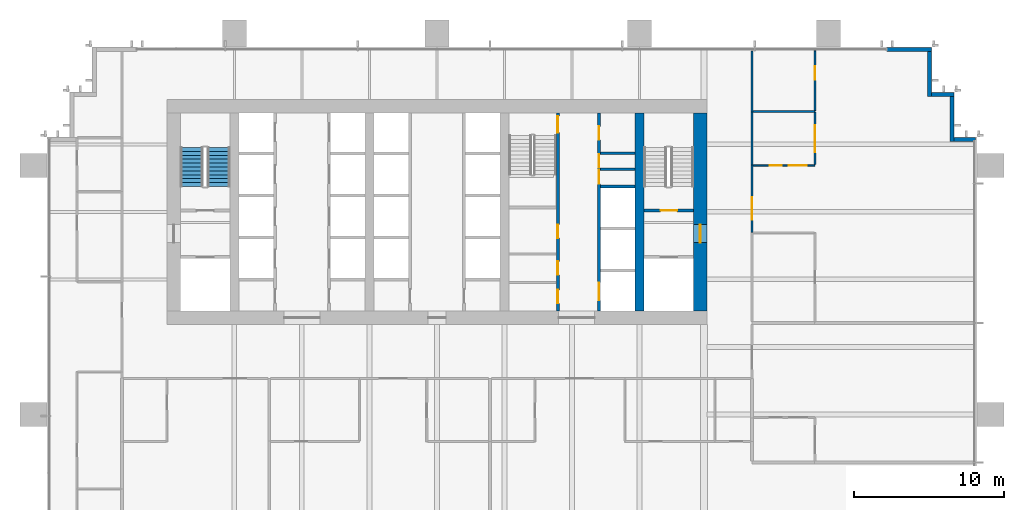
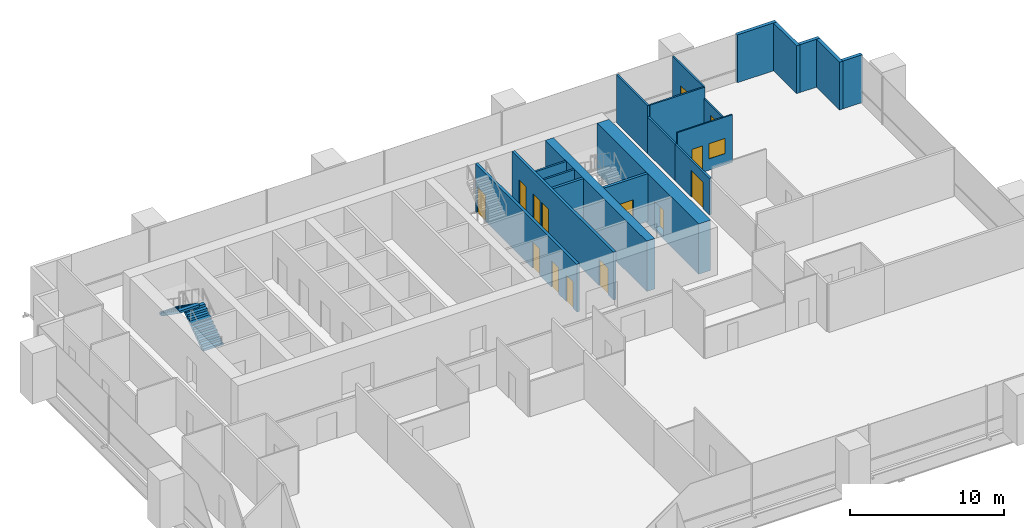
# One storey, part 15 of 17: 20 walls, 13 doors, 2 stair flights, 2 windows, 15 openings, 1 element without a shape of its own.
"""IFC4 building model written with IfcOpenShell, lengths in metres."""

from ifc_helpers import new_model, si_unit, direction, frame, frame_2d, origin, place, context, subcontext, project, spatial, polyline, rectangle, outline, extrude, material, layer, layer_set, type_object, element, fill, aggregate, save


model = new_model("IFC4")

# Units and contexts
model_context = context("Model", 3, precision=1e-05, world=origin(), true_north=direction((0.0, 1.0)))
body_context = subcontext(model_context, "Body", "Model", "MODEL_VIEW")
ifc_project = project(units=[si_unit("LENGTHUNIT", "METRE"), si_unit("AREAUNIT", "SQUARE_METRE"), si_unit("VOLUMEUNIT", "CUBIC_METRE"), si_unit("PLANEANGLEUNIT", "RADIAN"), si_unit("MASSUNIT", "GRAM", prefix="KILO")], contexts=[model_context])

# Site, building, storey
site_placement = place(None, origin())
site = spatial("IfcSite", under=ifc_project, at=site_placement, CompositionType="ELEMENT")
building_placement = place(site_placement, origin())
building = spatial("IfcBuilding", under=site, at=building_placement, Name="Rattan Terrace Tower", CompositionType="ELEMENT")
storey_placement = place(building_placement, frame((0.0, 0.0, 83.699951171875)))
storey = spatial("IfcBuildingStorey", under=building, at=storey_placement, Name="L18", CompositionType="ELEMENT", Elevation=83.699951171875)

# Walls
ifc_material_1 = material(Name="Gypsum board partition")
ifc_layer_1 = layer(ifc_material_1, 0.14990234375)
ifc_layer_set_1 = layer_set([ifc_layer_1], Name="Core partition 150")
wall_type_1 = type_object("IfcWallType", Name="Core partition 150", PredefinedType="PARTITIONING", material=ifc_layer_set_1)
for number, where, z_axis, x_axis, name in (
    (1, (10.89990234375, 2.85595703125, 0.0), (0.0, 0.0, 1.0), (1.0, 0.0, 0.0), "Riser room wall"),
    (2, (10.89990234375, 3.912109375, 0.0), (0.0, 0.0, 1.0), (1.0, 0.0, 0.0), "Riser room wall"),
):
    element("IfcWall", number, at=place(storey_placement, frame(where, z_axis=z_axis, x_axis=x_axis)), inside=storey, type_object=wall_type_1, Name=name, PredefinedType="PARTITIONING", context=body_context, shape_type="SweptSolid", body=[
        extrude(rectangle(XDim=2.300048828125, YDim=0.14990234375, at=frame_2d((1.14990234375, 0.0))), origin(), (0.0, 0.0, 1.0), 3.800048828125),
    ])

# Wall, opening, door
ifc_material_2 = material(Name="Gypsum board partition")
ifc_layer_2 = layer(ifc_material_2, 0.199951171875)
ifc_layer_set_2 = layer_set([ifc_layer_2], Name="Core partition 200")
wall_type_2 = type_object("IfcWallType", Name="Core partition 200", PredefinedType="PARTITIONING", material=ifc_layer_set_2)
wall_1_placement = place(storey_placement, frame((13.800048828125, 0.10009765625, 0.0), z_axis=(0.0, 0.0, 1.0), x_axis=(1.0, 0.0, 0.0)))
wall_1 = element("IfcWall", 3, at=wall_1_placement, inside=storey, type_object=wall_type_2, Name="Stair enclosure wall", PredefinedType="PARTITIONING", context=body_context, shape_type="SweptSolid", body=[
    extrude(rectangle(XDim=3.300048828125, YDim=0.199951171875, at=frame_2d((1.64990234375, 0.0))), origin(), (0.0, 0.0, 1.0), 3.800048828125),
])
opening_1_placement = place(wall_1_placement, frame((1.10009765625, 0.0, 0.0)))
opening_1 = element("IfcOpeningElement", 4, at=opening_1_placement, cuts=wall_1, Name="Opening L18-D004", PredefinedType="OPENING", context=body_context, shape_type="SweptSolid", body=[
    extrude(rectangle(XDim=1.10009765625, YDim=2.10009765625, at=frame_2d((0.550048828125, 1.050048828125))), frame((0.0, 0.110595703125, 0.0), z_axis=(0.0, -1.0, 0.0), x_axis=(1.0, 0.0, 0.0)), (0.0, 0.0, 1.0), 0.220947265625),
])
ifc_material_3 = material(Name="Hollow-metal fire door leaf")
door_type_1 = type_object("IfcDoorType", Name="Core stair door 1100", OperationType="NOTDEFINED", PredefinedType="DOOR", material=ifc_material_3)
door_1_placement = place(opening_1_placement, origin())
door_1 = element("IfcDoor", 5, at=door_1_placement, inside=storey, type_object=door_type_1, Name="Door L18-D004", OperationType="SINGLE_SWING_LEFT", OverallHeight=2.10009765625, OverallWidth=1.10009765625, PredefinedType="DOOR", context=body_context, shape_type="SweptSolid", body=[
    extrude(rectangle(XDim=1.10009765625, YDim=2.10009765625, at=frame_2d((0.550048828125, 1.050048828125))), frame((0.0, 0.02490234375, 0.0), z_axis=(0.0, -1.0, 0.0), x_axis=(1.0, 0.0, 0.0)), (0.0, 0.0, 1.0), 0.050048828125),
])
fill(opening_1, door_1)

# Wall, openings, doors
wall_2_placement = place(storey_placement, frame((8.050048828125, -6.60009765625, 0.0), z_axis=(0.0, 0.0, 1.0), x_axis=(0.0, 1.0, 0.0)))
wall_2 = element("IfcWall", 6, at=wall_2_placement, inside=storey, type_object=wall_type_2, Name="Lobby wall west", PredefinedType="PARTITIONING", context=body_context, shape_type="SweptSolid", body=[
    extrude(rectangle(XDim=13.2001953125, YDim=0.199951171875, at=frame_2d((6.60009765625, 0.0))), origin(), (0.0, 0.0, 1.0), 3.800048828125),
])
opening_2_placement = place(wall_2_placement, frame((0.501953125, 0.0, 0.0)))
opening_2 = element("IfcOpeningElement", 7, at=opening_2_placement, cuts=wall_2, Name="Opening L18-D011", PredefinedType="OPENING", context=body_context, shape_type="SweptSolid", body=[
    extrude(rectangle(XDim=0.89990234375, YDim=2.10009765625, at=frame_2d((0.449951171875, 1.050048828125))), frame((0.0, 0.110595703125, 0.0), z_axis=(0.0, -1.0, 0.0), x_axis=(1.0, 0.0, 0.0)), (0.0, 0.0, 1.0), 0.220947265625),
])
opening_3_placement = place(wall_2_placement, frame((2.406005859375, 0.0, 0.0)))
opening_3 = element("IfcOpeningElement", 8, at=opening_3_placement, cuts=wall_2, Name="Opening L18-D012", PredefinedType="OPENING", context=body_context, shape_type="SweptSolid", body=[
    extrude(rectangle(XDim=0.89990234375, YDim=2.10009765625, at=frame_2d((0.449951171875, 1.050048828125))), frame((0.0, 0.110595703125, 0.0), z_axis=(0.0, -1.0, 0.0), x_axis=(1.0, 0.0, 0.0)), (0.0, 0.0, 1.0), 0.220947265625),
])
opening_4_placement = place(wall_2_placement, frame((4.85400390625, 0.0, 0.0)))
opening_4 = element("IfcOpeningElement", 9, at=opening_4_placement, cuts=wall_2, Name="Opening L18-D013", PredefinedType="OPENING", context=body_context, shape_type="SweptSolid", body=[
    extrude(rectangle(XDim=0.89990234375, YDim=2.10009765625, at=frame_2d((0.449951171875, 1.050048828125))), frame((0.0, 0.110595703125, 0.0), z_axis=(0.0, -1.0, 0.0), x_axis=(1.0, 0.0, 0.0)), (0.0, 0.0, 1.0), 0.220947265625),
])
opening_5_placement = place(wall_2_placement, frame((11.89990234375, 0.0, 0.0)))
opening_5 = element("IfcOpeningElement", 10, at=opening_5_placement, cuts=wall_2, Name="Opening L18-D014", PredefinedType="OPENING", context=body_context, shape_type="SweptSolid", body=[
    extrude(rectangle(XDim=1.10009765625, YDim=2.10009765625, at=frame_2d((0.550048828125, 1.050048828125))), frame((0.0, 0.110595703125, 0.0), z_axis=(0.0, -1.0, 0.0), x_axis=(1.0, 0.0, 0.0)), (0.0, 0.0, 1.0), 0.220947265625),
])
door_2_placement = place(opening_5_placement, origin())
door_2 = element("IfcDoor", 11, at=door_2_placement, inside=storey, type_object=door_type_1, Name="Door L18-D014", OperationType="SINGLE_SWING_RIGHT", OverallHeight=2.10009765625, OverallWidth=1.10009765625, PredefinedType="DOOR", context=body_context, shape_type="SweptSolid", body=[
    extrude(rectangle(XDim=1.10009765625, YDim=2.10009765625, at=frame_2d((0.550048828125, 1.050048828125))), frame((0.0, 0.02490234375, 0.0), z_axis=(0.0, -1.0, 0.0), x_axis=(1.0, 0.0, 0.0)), (0.0, 0.0, 1.0), 0.050048828125),
])
fill(opening_5, door_2)
ifc_material_4 = material(Name="Hollow-metal fire door leaf")
door_type_2 = type_object("IfcDoorType", Name="Core toilet door 900", OperationType="NOTDEFINED", PredefinedType="DOOR", material=ifc_material_4)
door_3_placement = place(opening_2_placement, origin())
door_3 = element("IfcDoor", 12, at=door_3_placement, inside=storey, type_object=door_type_2, Name="Door L18-D011", OperationType="SINGLE_SWING_LEFT", OverallHeight=2.10009765625, OverallWidth=0.89990234375, PredefinedType="DOOR", context=body_context, shape_type="SweptSolid", body=[
    extrude(rectangle(XDim=0.89990234375, YDim=2.10009765625, at=frame_2d((0.449951171875, 1.050048828125))), frame((0.0, 0.02490234375, 0.0), z_axis=(0.0, -1.0, 0.0), x_axis=(1.0, 0.0, 0.0)), (0.0, 0.0, 1.0), 0.050048828125),
])
fill(opening_2, door_3)
door_4_placement = place(opening_3_placement, origin())
door_4 = element("IfcDoor", 13, at=door_4_placement, inside=storey, type_object=door_type_2, Name="Door L18-D012", OperationType="SINGLE_SWING_RIGHT", OverallHeight=2.10009765625, OverallWidth=0.89990234375, PredefinedType="DOOR", context=body_context, shape_type="SweptSolid", body=[
    extrude(rectangle(XDim=0.89990234375, YDim=2.10009765625, at=frame_2d((0.449951171875, 1.050048828125))), frame((0.0, 0.02490234375, 0.0), z_axis=(0.0, -1.0, 0.0), x_axis=(1.0, 0.0, 0.0)), (0.0, 0.0, 1.0), 0.050048828125),
])
fill(opening_3, door_4)
door_5_placement = place(opening_4_placement, origin())
door_5 = element("IfcDoor", 14, at=door_5_placement, inside=storey, type_object=door_type_2, Name="Door L18-D013", OperationType="SINGLE_SWING_LEFT", OverallHeight=2.10009765625, OverallWidth=0.89990234375, PredefinedType="DOOR", context=body_context, shape_type="SweptSolid", body=[
    extrude(rectangle(XDim=0.89990234375, YDim=2.10009765625, at=frame_2d((0.449951171875, 1.050048828125))), frame((0.0, 0.02490234375, 0.0), z_axis=(0.0, -1.0, 0.0), x_axis=(1.0, 0.0, 0.0)), (0.0, 0.0, 1.0), 0.050048828125),
])
fill(opening_4, door_5)

# Wall, opening, door
ifc_material_5 = material(Name="Concrete C70/85", Category="concrete")
ifc_layer_3 = layer(ifc_material_5, 0.89990234375)
ifc_layer_set_3 = layer_set([ifc_layer_3], Name="Core ring wall 900 C70/85")
wall_type_3 = type_object("IfcWallType", Name="Core ring wall 900 C70/85", PredefinedType="SHEAR", material=ifc_layer_set_3)
wall_3_placement = place(storey_placement, frame((17.550048828125, -6.60009765625, -0.199951171875), z_axis=(0.0, 0.0, 1.0), x_axis=(0.0, 1.0, 0.0)))
wall_3 = element("IfcWall", 15, at=wall_3_placement, inside=storey, type_object=wall_type_3, Name="Rear core wall east", PredefinedType="SHEAR", context=body_context, shape_type="SweptSolid", body=[
    extrude(rectangle(XDim=13.2001953125, YDim=0.89990234375, at=frame_2d((6.60009765625, 0.0))), origin(), (0.0, 0.0, 1.0), 4.0),
])
opening_6_placement = place(wall_3_placement, frame((4.550048828125, 0.0, 0.199951171875)))
opening_6 = element("IfcOpeningElement", 16, at=opening_6_placement, cuts=wall_3, Name="Opening L18-D003", PredefinedType="OPENING", context=body_context, shape_type="SweptSolid", body=[
    extrude(rectangle(XDim=1.199951171875, YDim=2.10009765625, at=frame_2d((0.60009765625, 1.050048828125))), frame((0.0, 0.46044921875, 0.0), z_axis=(0.0, -1.0, 0.0), x_axis=(1.0, 0.0, 0.0)), (0.0, 0.0, 1.0), 0.9208984375),
])
ifc_material_6 = material(Name="Hollow-metal fire door leaf")
door_type_3 = type_object("IfcDoorType", Name="Core fire-fighting lobby door 1200", OperationType="NOTDEFINED", PredefinedType="DOOR", material=ifc_material_6)
door_6_placement = place(opening_6_placement, origin())
door_6 = element("IfcDoor", 17, at=door_6_placement, inside=storey, type_object=door_type_3, Name="Door L18-D003", OperationType="SINGLE_SWING_RIGHT", OverallHeight=2.10009765625, OverallWidth=1.199951171875, PredefinedType="DOOR", context=body_context, shape_type="SweptSolid", body=[
    extrude(rectangle(XDim=1.199951171875, YDim=2.10009765625, at=frame_2d((0.60009765625, 1.050048828125))), frame((0.0, 0.02490234375, 0.0), z_axis=(0.0, -1.0, 0.0), x_axis=(1.0, 0.0, 0.0)), (0.0, 0.0, 1.0), 0.050048828125),
])
fill(opening_6, door_6)

# Walls
ifc_material_7 = material(Name="Concrete C70/85", Category="concrete")
ifc_layer_4 = layer(ifc_material_7, 0.60009765625)
ifc_layer_set_4 = layer_set([ifc_layer_4], Name="Core spine wall 600 C70/85")
wall_type_4 = type_object("IfcWallType", Name="Core spine wall 600 C70/85", PredefinedType="SHEAR", material=ifc_layer_set_4)
wall_4_placement = place(storey_placement, frame((13.5, -6.60009765625, -0.199951171875), z_axis=(0.0, 0.0, 1.0), x_axis=(0.0, 1.0, 0.0)))
element("IfcWall", 18, at=wall_4_placement, inside=storey, type_object=wall_type_4, Name="Core spine wall 4", PredefinedType="SHEAR", context=body_context, shape_type="SweptSolid", body=[
    extrude(rectangle(XDim=13.2001953125, YDim=0.60009765625, at=frame_2d((6.60009765625, 0.0))), origin(), (0.0, 0.0, 1.0), 4.0),
])
ifc_material_8 = material(Name="Insulated aluminium-clad stud wall", Category="aluminium")
ifc_layer_5 = layer(ifc_material_8, 0.25)
ifc_layer_set_5 = layer_set([ifc_layer_5], Name="Facade Riser Wall 250")
wall_type_5 = type_object("IfcWallType", Name="Facade Riser Wall 250", PredefinedType="SOLIDWALL", material=ifc_layer_set_5)
wall_5_placement = place(storey_placement, frame((35.909912109375, 4.830078125, 0.0), z_axis=(0.0, 0.0, 1.0), x_axis=(-1.0, 0.0, 0.0)))
element("IfcWall", 19, at=wall_5_placement, inside=storey, type_object=wall_type_5, Name="Riser wall L18-6", PredefinedType="SOLIDWALL", context=body_context, shape_type="SweptSolid", body=[
    extrude(rectangle(XDim=1.454833984375, YDim=0.25, at=frame_2d((0.7275390625, 0.0))), origin(), (0.0, 0.0, 1.0), 3.800048828125),
])
wall_6_placement = place(storey_placement, frame((34.330078125, 4.705078125, 0.0), z_axis=(0.0, 0.0, 1.0), x_axis=(0.0, 1.0, 0.0)))
element("IfcWall", 20, at=wall_6_placement, inside=storey, type_object=wall_type_5, Name="Riser wall L18-7", PredefinedType="SOLIDWALL", context=body_context, shape_type="SweptSolid", body=[
    extrude(rectangle(XDim=3.0, YDim=0.25, at=frame_2d((1.5, 0.0))), origin(), (0.0, 0.0, 1.0), 3.800048828125),
])
wall_7_placement = place(storey_placement, frame((34.455078125, 7.830078125, 0.0), z_axis=(0.0, 0.0, 1.0), x_axis=(-1.0, 0.0, 0.0)))
element("IfcWall", 21, at=wall_7_placement, inside=storey, type_object=wall_type_5, Name="Riser wall L18-8", PredefinedType="SOLIDWALL", context=body_context, shape_type="SweptSolid", body=[
    extrude(rectangle(XDim=1.5, YDim=0.25, at=frame_2d((0.75, 0.0))), origin(), (0.0, 0.0, 1.0), 3.800048828125),
])
wall_8_placement = place(storey_placement, frame((32.830078125, 7.705078125, 0.0), z_axis=(0.0, 0.0, 1.0), x_axis=(0.0, 1.0, 0.0)))
element("IfcWall", 22, at=wall_8_placement, inside=storey, type_object=wall_type_5, Name="Riser wall L18-9", PredefinedType="SOLIDWALL", context=body_context, shape_type="SweptSolid", body=[
    extrude(rectangle(XDim=3.0, YDim=0.25, at=frame_2d((1.5, 0.0))), origin(), (0.0, 0.0, 1.0), 3.800048828125),
])
wall_9_placement = place(storey_placement, frame((32.955078125, 10.830078125, 0.0), z_axis=(0.0, 0.0, 1.0), x_axis=(-1.0, 0.0, 0.0)))
element("IfcWall", 23, at=wall_9_placement, inside=storey, type_object=wall_type_5, Name="Riser wall L18-10", PredefinedType="SOLIDWALL", context=body_context, shape_type="SweptSolid", body=[
    extrude(rectangle(XDim=2.955078125, YDim=0.25, at=frame_2d((1.4775390625, 0.0))), origin(), (0.0, 0.0, 1.0), 3.800048828125),
])

# Wall, openings, door, window
ifc_material_9 = material(Name="Gypsum board partition on steel studs", Category="steel")
ifc_layer_6 = layer(ifc_material_9, 0.10009765625)
ifc_layer_set_6 = layer_set([ifc_layer_6], Name="Floors Partition 100")
wall_type_6 = type_object("IfcWallType", Name="Floors Partition 100", PredefinedType="PARTITIONING", material=ifc_layer_set_6)
wall_10_placement = place(storey_placement, frame((21.074951171875, 3.10009765625, 0.0), z_axis=(0.0, 0.0, 1.0), x_axis=(1.0, 0.0, 0.0)))
wall_10 = element("IfcWall", 24, at=wall_10_placement, inside=storey, type_object=wall_type_6, Name="pt-L18-067", PredefinedType="PARTITIONING", context=body_context, shape_type="SweptSolid", body=[
    extrude(rectangle(XDim=4.125, YDim=0.10009765625, at=frame_2d((2.0625, 0.0))), origin(), (0.0, 0.0, 1.0), 3.800048828125),
])
opening_7_placement = place(wall_10_placement, frame((1.097900390625, 0.0, 0.0)))
opening_7 = element("IfcOpeningElement", 25, at=opening_7_placement, cuts=wall_10, Name="Opening L18-D120", PredefinedType="OPENING", context=body_context, shape_type="SweptSolid", body=[
    extrude(rectangle(XDim=0.800048828125, YDim=2.10009765625, at=frame_2d((0.39990234375, 1.050048828125))), frame((0.0, 0.060546875, 0.0), z_axis=(0.0, -1.0, 0.0), x_axis=(1.0, 0.0, 0.0)), (0.0, 0.0, 1.0), 0.12109375),
])
opening_8_placement = place(wall_10_placement, frame((2.385986328125, 0.0, 0.89990234375)))
opening_8 = element("IfcOpeningElement", 26, at=opening_8_placement, cuts=wall_10, Name="Opening L18-W102", PredefinedType="OPENING", context=body_context, shape_type="SweptSolid", body=[
    extrude(rectangle(XDim=1.199951171875, YDim=1.199951171875, at=frame_2d((0.60009765625, 0.60009765625))), frame((0.0, 0.060546875, 0.0), z_axis=(0.0, -1.0, 0.0), x_axis=(1.0, 0.0, 0.0)), (0.0, 0.0, 1.0), 0.12109375),
])
ifc_material_10 = material(Name="Solid core timber door, painted", Category="wood")
door_type_4 = type_object("IfcDoorType", Name="Floors Store Door 800x2100", OperationType="NOTDEFINED", PredefinedType="DOOR", material=ifc_material_10)
door_7_placement = place(opening_7_placement, origin())
door_7 = element("IfcDoor", 27, at=door_7_placement, inside=storey, type_object=door_type_4, Name="d-L18-120", OperationType="SINGLE_SWING_LEFT", OverallHeight=2.10009765625, OverallWidth=0.800048828125, PredefinedType="DOOR", context=body_context, shape_type="SweptSolid", body=[
    extrude(rectangle(XDim=0.800048828125, YDim=2.10009765625, at=frame_2d((0.39990234375, 1.050048828125))), frame((0.0, 0.02490234375, 0.0), z_axis=(0.0, -1.0, 0.0), x_axis=(1.0, 0.0, 0.0)), (0.0, 0.0, 1.0), 0.050048828125),
])
fill(opening_7, door_7)
ifc_material_11 = material(Name="Glass, clear, fixed in aluminium frame", Category="aluminium")
window_type_1 = type_object("IfcWindowType", Name="Interior Vision Window 1200x1200", PartitioningType="SINGLE_PANEL", PredefinedType="WINDOW", material=ifc_material_11)
window_1_placement = place(opening_8_placement, origin())
window_1 = element("IfcWindow", 28, at=window_1_placement, inside=storey, type_object=window_type_1, Name="w-L18-102", OverallHeight=1.199951171875, OverallWidth=1.199951171875, PartitioningType="SINGLE_PANEL", PredefinedType="WINDOW", context=body_context, shape_type="SweptSolid", body=[
    extrude(rectangle(XDim=1.199951171875, YDim=1.199951171875, at=frame_2d((0.60009765625, 0.60009765625))), frame((0.0, 0.030029296875, 0.0), z_axis=(0.0, -1.0, 0.0), x_axis=(1.0, 0.0, 0.0)), (0.0, 0.0, 1.0), 0.06005859375),
])
fill(opening_8, window_1)

# Wall, opening, window
wall_11_placement = place(storey_placement, frame((25.199951171875, 3.14990234375, 0.0), z_axis=(0.0, 0.0, 1.0), x_axis=(0.0, 1.0, 0.0)))
wall_11 = element("IfcWall", 29, at=wall_11_placement, inside=storey, type_object=wall_type_6, Name="pt-L18-068", PredefinedType="PARTITIONING", context=body_context, shape_type="SweptSolid", body=[
    extrude(rectangle(XDim=3.530029296875, YDim=0.10009765625, at=frame_2d((1.76513671875, 0.0))), origin(), (0.0, 0.0, 1.0), 2.900146484375),
])
opening_9_placement = place(wall_11_placement, frame((0.844970703125, 0.0, 0.89990234375)))
opening_9 = element("IfcOpeningElement", 30, at=opening_9_placement, cuts=wall_11, Name="Opening L18-W103", PredefinedType="OPENING", context=body_context, shape_type="SweptSolid", body=[
    extrude(rectangle(XDim=1.800048828125, YDim=1.199951171875, at=frame_2d((0.89990234375, 0.60009765625))), frame((0.0, 0.060546875, 0.0), z_axis=(0.0, -1.0, 0.0), x_axis=(1.0, 0.0, 0.0)), (0.0, 0.0, 1.0), 0.12109375),
])
ifc_material_12 = material(Name="Glass, clear, fixed in aluminium frame", Category="aluminium")
window_type_2 = type_object("IfcWindowType", Name="Interior Vision Window 1800x1200", PartitioningType="SINGLE_PANEL", PredefinedType="WINDOW", material=ifc_material_12)
window_2_placement = place(opening_9_placement, origin())
window_2 = element("IfcWindow", 31, at=window_2_placement, inside=storey, type_object=window_type_2, Name="w-L18-103", OverallHeight=1.199951171875, OverallWidth=1.800048828125, PartitioningType="SINGLE_PANEL", PredefinedType="WINDOW", context=body_context, shape_type="SweptSolid", body=[
    extrude(rectangle(XDim=1.800048828125, YDim=1.199951171875, at=frame_2d((0.89990234375, 0.60009765625))), frame((0.0, 0.030029296875, 0.0), z_axis=(0.0, -1.0, 0.0), x_axis=(1.0, 0.0, 0.0)), (0.0, 0.0, 1.0), 0.06005859375),
])
fill(opening_9, window_2)

# Wall, opening, door
ifc_material_13 = material(Name="Gypsum board partition on steel studs, fire rated", Category="steel")
ifc_layer_7 = layer(ifc_material_13, 0.14990234375)
ifc_layer_set_7 = layer_set([ifc_layer_7], Name="Floors Tenancy Wall 150")
wall_type_7 = type_object("IfcWallType", Name="Floors Tenancy Wall 150", PredefinedType="PARTITIONING", material=ifc_layer_set_7)
wall_12_placement = place(storey_placement, frame((21.0, 3.1201171875, 0.0), z_axis=(0.0, 0.0, 1.0), x_axis=(0.0, -1.0, 0.0)))
wall_12 = element("IfcWall", 32, at=wall_12_placement, inside=storey, type_object=wall_type_7, Name="pt-L18-016", PredefinedType="PARTITIONING", context=body_context, shape_type="SweptSolid", body=[
    extrude(rectangle(XDim=4.5, YDim=0.14990234375, at=frame_2d((2.25, 0.0))), origin(), (0.0, 0.0, 1.0), 2.900146484375),
])
opening_10_placement = place(wall_12_placement, frame((2.125, 0.0, 0.0)))
opening_10 = element("IfcOpeningElement", 33, at=opening_10_placement, cuts=wall_12, Name="Opening L18-D118", PredefinedType="OPENING", context=body_context, shape_type="SweptSolid", body=[
    extrude(rectangle(XDim=1.5, YDim=2.10009765625, at=frame_2d((0.75, 1.050048828125))), frame((0.0, 0.08544921875, 0.0), z_axis=(0.0, -1.0, 0.0), x_axis=(1.0, 0.0, 0.0)), (0.0, 0.0, 1.0), 0.1708984375),
])
ifc_material_14 = material(Name="Steel fire door set", Category="steel")
door_type_5 = type_object("IfcDoorType", Name="Floors Unit Door Pair FD30S 1500x2100", OperationType="NOTDEFINED", PredefinedType="DOOR", material=ifc_material_14)
door_8_placement = place(opening_10_placement, origin())
door_8 = element("IfcDoor", 34, at=door_8_placement, inside=storey, type_object=door_type_5, Name="d-L18-118", OperationType="DOUBLE_DOOR_SINGLE_SWING", OverallHeight=2.10009765625, OverallWidth=1.5, PredefinedType="DOOR", context=body_context, shape_type="SweptSolid", body=[
    extrude(rectangle(XDim=1.5, YDim=2.10009765625, at=frame_2d((0.75, 1.050048828125))), frame((0.0, 0.02490234375, 0.0), z_axis=(0.0, -1.0, 0.0), x_axis=(1.0, 0.0, 0.0)), (0.0, 0.0, 1.0), 0.050048828125),
])
fill(opening_10, door_8)

# Walls
wall_13_placement = place(storey_placement, frame((21.0, 6.679931640625, 0.0), z_axis=(0.0, 0.0, 1.0), x_axis=(0.0, -1.0, 0.0)))
element("IfcWall", 35, at=wall_13_placement, inside=storey, type_object=wall_type_7, Name="pt-L18-018", PredefinedType="PARTITIONING", context=body_context, shape_type="SweptSolid", body=[
    extrude(rectangle(XDim=3.559814453125, YDim=0.14990234375, at=frame_2d((1.77978515625, 0.0))), origin(), (0.0, 0.0, 1.0), 2.900146484375),
])
wall_14_placement = place(storey_placement, frame((21.0, 10.739990234375, 0.0), z_axis=(0.0, 0.0, 1.0), x_axis=(0.0, -1.0, 0.0)))
element("IfcWall", 36, at=wall_14_placement, inside=storey, type_object=wall_type_7, Name="pt-L18-019", PredefinedType="PARTITIONING", context=body_context, shape_type="SweptSolid", body=[
    extrude(rectangle(XDim=4.06005859375, YDim=0.14990234375, at=frame_2d((2.030029296875, 0.0))), origin(), (0.0, 0.0, 1.0), 3.800048828125),
])

# Wall, opening, door
ifc_material_15 = material(Name="Moisture resistant gypsum board partition on steel studs with service cavity", Category="steel")
ifc_layer_8 = layer(ifc_material_15, 0.1201171875)
ifc_layer_set_8 = layer_set([ifc_layer_8], Name="Floors Wet Wall 120")
wall_type_8 = type_object("IfcWallType", Name="Floors Wet Wall 120", PredefinedType="PARTITIONING", material=ifc_layer_set_8)
wall_15_placement = place(storey_placement, frame((25.199951171875, 6.760009765625, 0.0), z_axis=(0.0, 0.0, 1.0), x_axis=(0.0, 1.0, 0.0)))
wall_15 = element("IfcWall", 37, at=wall_15_placement, inside=storey, type_object=wall_type_8, Name="pt-L18-069", PredefinedType="PARTITIONING", context=body_context, shape_type="SweptSolid", body=[
    extrude(rectangle(XDim=3.97998046875, YDim=0.1201171875, at=frame_2d((1.989990234375, 0.0))), origin(), (0.0, 0.0, 1.0), 3.800048828125),
])
opening_11_placement = place(wall_15_placement, frame((2.055908203125, 0.0, 0.0)))
opening_11 = element("IfcOpeningElement", 38, at=opening_11_placement, cuts=wall_15, Name="Opening L18-D121", PredefinedType="OPENING", context=body_context, shape_type="SweptSolid", body=[
    extrude(rectangle(XDim=0.89990234375, YDim=2.10009765625, at=frame_2d((0.449951171875, 1.050048828125))), frame((0.0, 0.070556640625, 0.0), z_axis=(0.0, -1.0, 0.0), x_axis=(1.0, 0.0, 0.0)), (0.0, 0.0, 1.0), 0.14111328125),
])
ifc_material_16 = material(Name="Solid core timber door, painted", Category="wood")
door_type_6 = type_object("IfcDoorType", Name="Floors Door 900x2100", OperationType="NOTDEFINED", PredefinedType="DOOR", material=ifc_material_16)
door_9_placement = place(opening_11_placement, origin())
door_9 = element("IfcDoor", 39, at=door_9_placement, inside=storey, type_object=door_type_6, Name="d-L18-121", OperationType="SINGLE_SWING_RIGHT", OverallHeight=2.10009765625, OverallWidth=0.89990234375, PredefinedType="DOOR", context=body_context, shape_type="SweptSolid", body=[
    extrude(rectangle(XDim=0.89990234375, YDim=2.10009765625, at=frame_2d((0.449951171875, 1.050048828125))), frame((0.0, 0.02490234375, 0.0), z_axis=(0.0, -1.0, 0.0), x_axis=(1.0, 0.0, 0.0)), (0.0, 0.0, 1.0), 0.050048828125),
])
fill(opening_11, door_9)

# Wall
wall_16_placement = place(storey_placement, frame((21.074951171875, 6.699951171875, 0.0), z_axis=(0.0, 0.0, 1.0), x_axis=(1.0, 0.0, 0.0)))
element("IfcWall", 40, at=wall_16_placement, inside=storey, type_object=wall_type_8, Name="pt-L18-070", PredefinedType="PARTITIONING", context=body_context, shape_type="SweptSolid", body=[
    extrude(rectangle(XDim=4.125, YDim=0.1201171875, at=frame_2d((2.0625, 0.0))), origin(), (0.0, 0.0, 1.0), 3.800048828125),
])

# Wall, openings, doors
ifc_material_17 = material(Name="Gypsum shaft wall system")
ifc_layer_9 = layer(ifc_material_17, 0.199951171875)
ifc_layer_set_9 = layer_set([ifc_layer_9], Name="Lift shaft wall 200")
wall_type_9 = type_object("IfcWallType", Name="Lift shaft wall 200", PredefinedType="PARTITIONING", material=ifc_layer_set_9)
wall_17_placement = place(storey_placement, frame((10.800048828125, -6.60009765625, 0.0), z_axis=(0.0, 0.0, 1.0), x_axis=(0.0, 1.0, 0.0)))
wall_17 = element("IfcWall", 41, at=wall_17_placement, inside=storey, type_object=wall_type_9, Name="Lift shaft front wall", PredefinedType="PARTITIONING", context=body_context, shape_type="SweptSolid", body=[
    extrude(rectangle(XDim=13.2001953125, YDim=0.199951171875, at=frame_2d((6.60009765625, 0.0))), origin(), (0.0, 0.0, 1.0), 3.800048828125),
])
opening_12_placement = place(wall_17_placement, frame((0.699951171875, 0.0, 0.0)))
opening_12 = element("IfcOpeningElement", 42, at=opening_12_placement, cuts=wall_17, Name="Opening L18-LD-SV1", PredefinedType="OPENING", context=body_context, shape_type="SweptSolid", body=[
    extrude(rectangle(XDim=1.199951171875, YDim=2.10009765625, at=frame_2d((0.60009765625, 1.050048828125))), frame((0.0, 0.110595703125, 0.0), z_axis=(0.0, -1.0, 0.0), x_axis=(1.0, 0.0, 0.0)), (0.0, 0.0, 1.0), 0.220947265625),
])
opening_13_placement = place(wall_17_placement, frame((8.47802734375, 0.0, 0.0)))
opening_13 = element("IfcOpeningElement", 43, at=opening_13_placement, cuts=wall_17, Name="Opening L18-D016", PredefinedType="OPENING", context=body_context, shape_type="SweptSolid", body=[
    extrude(rectangle(XDim=0.89990234375, YDim=2.10009765625, at=frame_2d((0.449951171875, 1.050048828125))), frame((0.0, 0.110595703125, 0.0), z_axis=(0.0, -1.0, 0.0), x_axis=(1.0, 0.0, 0.0)), (0.0, 0.0, 1.0), 0.220947265625),
])
opening_14_placement = place(wall_17_placement, frame((9.533935546875, 0.0, 0.0)))
opening_14 = element("IfcOpeningElement", 44, at=opening_14_placement, cuts=wall_17, Name="Opening L18-D017", PredefinedType="OPENING", context=body_context, shape_type="SweptSolid", body=[
    extrude(rectangle(XDim=0.89990234375, YDim=2.10009765625, at=frame_2d((0.449951171875, 1.050048828125))), frame((0.0, 0.110595703125, 0.0), z_axis=(0.0, -1.0, 0.0), x_axis=(1.0, 0.0, 0.0)), (0.0, 0.0, 1.0), 0.220947265625),
])
opening_15_placement = place(wall_17_placement, frame((11.406005859375, 0.0, 0.0)))
opening_15 = element("IfcOpeningElement", 45, at=opening_15_placement, cuts=wall_17, Name="Opening L18-D018", PredefinedType="OPENING", context=body_context, shape_type="SweptSolid", body=[
    extrude(rectangle(XDim=0.89990234375, YDim=2.10009765625, at=frame_2d((0.449951171875, 1.050048828125))), frame((0.0, 0.110595703125, 0.0), z_axis=(0.0, -1.0, 0.0), x_axis=(1.0, 0.0, 0.0)), (0.0, 0.0, 1.0), 0.220947265625),
])
ifc_material_18 = material(Name="Brushed stainless landing door panel")
door_type_7 = type_object("IfcDoorType", Name="Core lift landing door 1200", OperationType="DOUBLE_DOOR_SLIDING", PredefinedType="DOOR", material=ifc_material_18)
door_10_placement = place(opening_12_placement, origin())
door_10 = element("IfcDoor", 46, at=door_10_placement, inside=storey, type_object=door_type_7, Name="Door L18-LD-SV1", OperationType="DOUBLE_DOOR_SLIDING", OverallHeight=2.10009765625, OverallWidth=1.199951171875, PredefinedType="DOOR", context=body_context, shape_type="SweptSolid", body=[
    extrude(rectangle(XDim=1.199951171875, YDim=2.10009765625, at=frame_2d((0.60009765625, 1.050048828125))), frame((0.0, 0.02490234375, 0.0), z_axis=(0.0, -1.0, 0.0), x_axis=(1.0, 0.0, 0.0)), (0.0, 0.0, 1.0), 0.050048828125),
])
fill(opening_12, door_10)
ifc_material_19 = material(Name="Hollow-metal fire door leaf")
door_type_8 = type_object("IfcDoorType", Name="Core riser door 900", OperationType="NOTDEFINED", PredefinedType="DOOR", material=ifc_material_19)
door_11_placement = place(opening_13_placement, origin())
door_11 = element("IfcDoor", 47, at=door_11_placement, inside=storey, type_object=door_type_8, Name="Door L18-D016", OperationType="SINGLE_SWING_LEFT", OverallHeight=2.10009765625, OverallWidth=0.89990234375, PredefinedType="DOOR", context=body_context, shape_type="SweptSolid", body=[
    extrude(rectangle(XDim=0.89990234375, YDim=2.10009765625, at=frame_2d((0.449951171875, 1.050048828125))), frame((0.0, 0.02490234375, 0.0), z_axis=(0.0, -1.0, 0.0), x_axis=(1.0, 0.0, 0.0)), (0.0, 0.0, 1.0), 0.050048828125),
])
fill(opening_13, door_11)
door_12_placement = place(opening_14_placement, origin())
door_12 = element("IfcDoor", 48, at=door_12_placement, inside=storey, type_object=door_type_8, Name="Door L18-D017", OperationType="SINGLE_SWING_RIGHT", OverallHeight=2.10009765625, OverallWidth=0.89990234375, PredefinedType="DOOR", context=body_context, shape_type="SweptSolid", body=[
    extrude(rectangle(XDim=0.89990234375, YDim=2.10009765625, at=frame_2d((0.449951171875, 1.050048828125))), frame((0.0, 0.02490234375, 0.0), z_axis=(0.0, -1.0, 0.0), x_axis=(1.0, 0.0, 0.0)), (0.0, 0.0, 1.0), 0.050048828125),
])
fill(opening_14, door_12)
ifc_material_20 = material(Name="Hollow-metal fire door leaf")
door_type_9 = type_object("IfcDoorType", Name="Core service room door 900", OperationType="NOTDEFINED", PredefinedType="DOOR", material=ifc_material_20)
door_13_placement = place(opening_15_placement, origin())
door_13 = element("IfcDoor", 49, at=door_13_placement, inside=storey, type_object=door_type_9, Name="Door L18-D018", OperationType="SINGLE_SWING_LEFT", OverallHeight=2.10009765625, OverallWidth=0.89990234375, PredefinedType="DOOR", context=body_context, shape_type="SweptSolid", body=[
    extrude(rectangle(XDim=0.89990234375, YDim=2.10009765625, at=frame_2d((0.449951171875, 1.050048828125))), frame((0.0, 0.02490234375, 0.0), z_axis=(0.0, -1.0, 0.0), x_axis=(1.0, 0.0, 0.0)), (0.0, 0.0, 1.0), 0.050048828125),
])
fill(opening_15, door_13)

# Wall
wall_18_placement = place(storey_placement, frame((10.89990234375, 1.699951171875, 0.0), z_axis=(0.0, 0.0, 1.0), x_axis=(1.0, 0.0, 0.0)))
element("IfcWall", 50, at=wall_18_placement, inside=storey, type_object=wall_type_9, Name="Lift shaft wall", PredefinedType="PARTITIONING", context=body_context, shape_type="SweptSolid", body=[
    extrude(rectangle(XDim=2.300048828125, YDim=0.199951171875, at=frame_2d((1.14990234375, 0.0))), origin(), (0.0, 0.0, 1.0), 3.800048828125),
])

# Stair, stair flights
ifc_material_21 = material(Name="Concrete C40/50", Category="concrete")
stair_type = type_object("IfcStairType", Name="Core exit stair 1500", PredefinedType="HALF_TURN_STAIR", material=ifc_material_21)
stair_placement = place(storey_placement, origin())
stair = element("IfcStair", 51, at=stair_placement, inside=storey, type_object=stair_type, Name="L18 exit stair 1", PredefinedType="HALF_TURN_STAIR")
ifc_material_22 = material(Name="Concrete C40/50", Category="concrete")
stair_flight_type = type_object("IfcStairFlightType", Name="Core exit stair flight 1500", PredefinedType="STRAIGHT", material=ifc_material_22)
stair_flight_1_placement = place(storey_placement, frame((-14.550048828125, 1.699951171875, 0.0), z_axis=(0.0, 0.0, 1.0), x_axis=(0.0, 1.0, 0.0)))
stair_flight_1 = element("IfcStairFlight", 52, at=stair_flight_1_placement, type_object=stair_flight_type, Name="S1 flight 1", NumberOfRisers=11, NumberOfTreads=10, PredefinedType="STRAIGHT", RiserHeight=0.181818182, TreadLength=0.26, context=body_context, shape_type="SweptSolid", body=[
    extrude(outline(polyline([(0.0, 0.0), (0.0, 0.181884765625), (0.260009765625, 0.181884765625), (0.260009765625, 0.363525390625), (0.52001953125, 0.363525390625), (0.52001953125, 0.54541015625), (0.780029296875, 0.54541015625), (0.780029296875, 0.727294921875), (1.0400390625, 0.727294921875), (1.0400390625, 0.9091796875), (1.300048828125, 0.9091796875), (1.300048828125, 1.0908203125), (1.56005859375, 1.0908203125), (1.56005859375, 1.272705078125), (1.820068359375, 1.272705078125), (1.820068359375, 1.45458984375), (2.080078125, 1.45458984375), (2.080078125, 1.636474609375), (2.340087890625, 1.636474609375), (2.340087890625, 1.818115234375), (2.60009765625, 1.818115234375), (2.60009765625, 2.0), (2.60009765625, 1.63525390625), (0.261474609375, 0.0), (0.0, 0.0)])), frame((0.0, 0.75, 0.0), z_axis=(0.0, -1.0, 0.0), x_axis=(1.0, 0.0, 0.0)), (0.0, 0.0, 1.0), 1.5),
])
stair_flight_2_placement = place(storey_placement, frame((-16.35009765625, 4.300048828125, 2.0), z_axis=(0.0, 0.0, 1.0), x_axis=(0.0, -1.0, 0.0)))
stair_flight_2 = element("IfcStairFlight", 53, at=stair_flight_2_placement, type_object=stair_flight_type, Name="S1 flight 2", NumberOfRisers=11, NumberOfTreads=10, PredefinedType="STRAIGHT", RiserHeight=0.181818182, TreadLength=0.26, context=body_context, shape_type="SweptSolid", body=[
    extrude(outline(polyline([(0.0, 0.0), (0.0, 0.181884765625), (0.260009765625, 0.181884765625), (0.260009765625, 0.363525390625), (0.52001953125, 0.363525390625), (0.52001953125, 0.54541015625), (0.780029296875, 0.54541015625), (0.780029296875, 0.727294921875), (1.0400390625, 0.727294921875), (1.0400390625, 0.9091796875), (1.300048828125, 0.9091796875), (1.300048828125, 1.0908203125), (1.56005859375, 1.0908203125), (1.56005859375, 1.272705078125), (1.820068359375, 1.272705078125), (1.820068359375, 1.45458984375), (2.080078125, 1.45458984375), (2.080078125, 1.636474609375), (2.340087890625, 1.636474609375), (2.340087890625, 1.818115234375), (2.60009765625, 1.818115234375), (2.60009765625, 2.0), (2.60009765625, 1.63525390625), (0.261474609375, 0.0), (0.0, 0.0)])), frame((0.0, 0.75, 0.0), z_axis=(0.0, -1.0, 0.0), x_axis=(1.0, 0.0, 0.0)), (0.0, 0.0, 1.0), 1.5),
])
aggregate(stair, [stair_flight_1, stair_flight_2])

save(model, "model.ifc")
